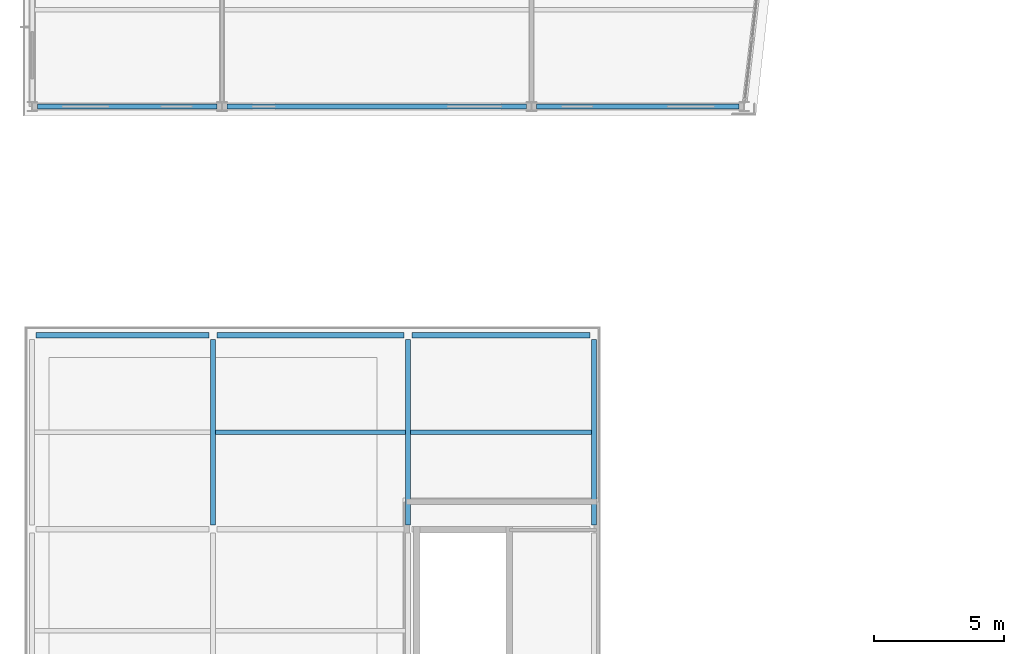
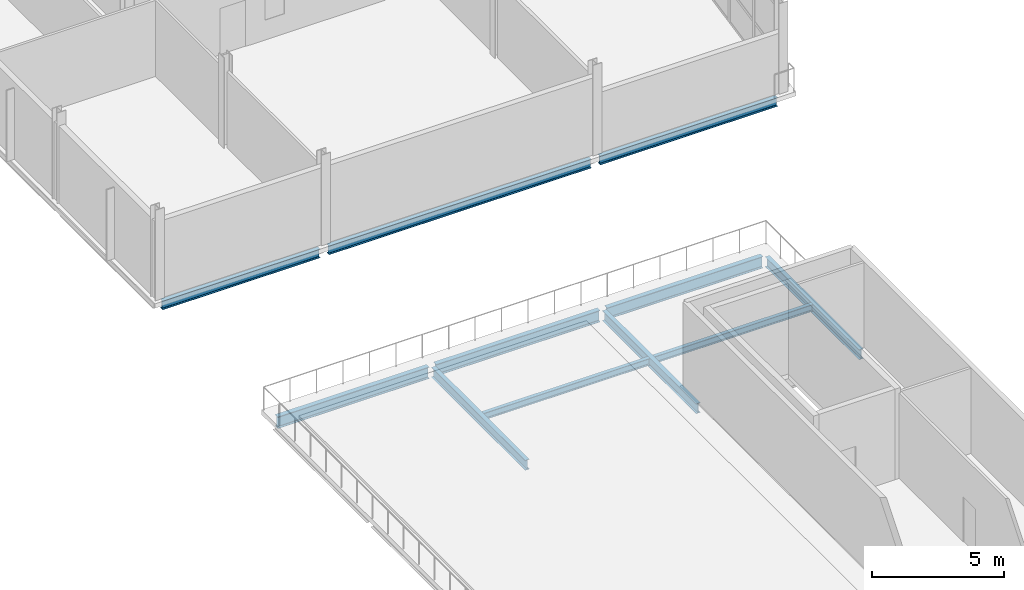
# One storey, part 3 of 36: 11 beams.
"""IFC4 building model written with IfcOpenShell, lengths in metres."""

from ifc_helpers import new_model, si_unit, direction, frame, origin, origin_2d, place, context, subcontext, project, spatial, i_section, extrude, material, material_profile, profile_set, type_object, element, save


model = new_model("IFC4")

# Units and contexts
model_context = context("Model", 3, precision=1e-05, world=origin(), true_north=direction((0.0, 1.0)))
body_context = subcontext(model_context, "Body", "Model", "MODEL_VIEW")
ifc_project = project(units=[si_unit("LENGTHUNIT", "METRE"), si_unit("AREAUNIT", "SQUARE_METRE"), si_unit("VOLUMEUNIT", "CUBIC_METRE"), si_unit("PLANEANGLEUNIT", "RADIAN"), si_unit("MASSUNIT", "GRAM", prefix="KILO")], contexts=[model_context])

# Site, building, storey
site_placement = place(None, origin())
site = spatial("IfcSite", under=ifc_project, at=site_placement, CompositionType="ELEMENT")
building_placement = place(site_placement, origin())
building = spatial("IfcBuilding", under=site, at=building_placement, Name="Quillay Park Conservatory", CompositionType="ELEMENT")
storey_placement = place(building_placement, frame((0.0, 0.0, 18.300048828125)))
storey = spatial("IfcBuildingStorey", under=building, at=storey_placement, Name="L04", CompositionType="ELEMENT", Elevation=18.300048828125)

# Beams
ifc_material_1 = material(Name="Steel ASTM A992 Grade 50", Category="steel")
ifc_material_profile_1 = material_profile(ifc_material_1, i_section(OverallWidth=0.166015625, OverallDepth=0.31298828125, WebThickness=0.006591796875, FlangeThickness=0.01123046875, FilletRadius=0.010009765625, at=origin_2d()), Name="W310x45")
ifc_profile_set_1 = profile_set([ifc_material_profile_1], Name="Steel ASTM A992 Grade 50")
beam_type_1 = type_object("IfcBeamType", Name="COMPOSITE FLOOR JOIST W310 X45", PredefinedType="JOIST", material=ifc_profile_set_1)
beam_1_placement = place(storey_placement, frame((7.595947265625, 50.52490234375, -0.381591796875), z_axis=(1.0, 0.0, 0.0), x_axis=(0.0, 1.0, 0.0)))
element("IfcBeam", 1, at=beam_1_placement, inside=storey, type_object=beam_type_1, Name="L04 beam BM-V3J-1542", PredefinedType="JOIST", context=body_context, shape_type="SweptSolid", body=[
    extrude(i_section(OverallWidth=0.166015625, OverallDepth=0.31298828125, WebThickness=0.006591796875, FlangeThickness=0.01123046875, FilletRadius=0.010009765625, at=origin_2d()), origin(), (0.0, 0.0, 1.0), 7.30810546875),
])
beam_2_placement = place(storey_placement, frame((15.095947265625, 50.52490234375, -0.381591796875), z_axis=(1.0, 0.0, 0.0), x_axis=(0.0, 1.0, 0.0)))
element("IfcBeam", 2, at=beam_2_placement, inside=storey, type_object=beam_type_1, Name="L04 beam BM-V3J-1543", PredefinedType="JOIST", context=body_context, shape_type="SweptSolid", body=[
    extrude(i_section(OverallWidth=0.166015625, OverallDepth=0.31298828125, WebThickness=0.006591796875, FlangeThickness=0.01123046875, FilletRadius=0.010009765625, at=origin_2d()), origin(), (0.0, 0.0, 1.0), 6.9580078125),
])
ifc_material_2 = material(Name="Steel ASTM A992 Grade 50", Category="steel")
ifc_material_profile_2 = material_profile(ifc_material_2, i_section(OverallWidth=0.179931640625, OverallDepth=0.4130859375, WebThickness=0.009765625, FlangeThickness=0.01611328125, FilletRadius=0.011962890625, at=origin_2d()), Name="W410x74")
ifc_profile_set_2 = profile_set([ifc_material_profile_2], Name="Steel ASTM A992 Grade 50")
beam_type_2 = type_object("IfcBeamType", Name="PERIMETER SPANDREL BEAM W410 X74", PredefinedType="SPANDREL", material=ifc_profile_set_2)
beam_3_placement = place(storey_placement, frame((0.74755859375, 63.050048828125, -0.406494140625), z_axis=(1.0, 0.0, 0.0), x_axis=(0.0, 1.0, 0.0)))
element("IfcBeam", 3, at=beam_3_placement, inside=storey, type_object=beam_type_2, Name="L04 beam BM-SP-0312", PredefinedType="SPANDREL", context=body_context, shape_type="SweptSolid", body=[
    extrude(i_section(OverallWidth=0.179931640625, OverallDepth=0.4130859375, WebThickness=0.009765625, FlangeThickness=0.01611328125, FilletRadius=0.011962890625, at=origin_2d()), origin(), (0.0, 0.0, 1.0), 6.905029296875),
])
beam_4_placement = place(storey_placement, frame((8.047607421875, 63.050048828125, -0.406494140625), z_axis=(1.0, 0.0, 0.0), x_axis=(0.0, 1.0, 0.0)))
element("IfcBeam", 4, at=beam_4_placement, inside=storey, type_object=beam_type_2, Name="L04 beam BM-SP-0313", PredefinedType="SPANDREL", context=body_context, shape_type="SweptSolid", body=[
    extrude(i_section(OverallWidth=0.179931640625, OverallDepth=0.4130859375, WebThickness=0.009765625, FlangeThickness=0.01611328125, FilletRadius=0.011962890625, at=origin_2d()), origin(), (0.0, 0.0, 1.0), 11.5048828125),
])
beam_5_placement = place(storey_placement, frame((19.947509765625, 63.050048828125, -0.406494140625), z_axis=(1.0, 0.0, 0.0), x_axis=(0.0, 1.0, 0.0)))
element("IfcBeam", 5, at=beam_5_placement, inside=storey, type_object=beam_type_2, Name="L04 beam BM-SP-0314", PredefinedType="SPANDREL", context=body_context, shape_type="SweptSolid", body=[
    extrude(i_section(OverallWidth=0.179931640625, OverallDepth=0.4130859375, WebThickness=0.009765625, FlangeThickness=0.01611328125, FilletRadius=0.011962890625, at=origin_2d()), origin(), (0.0, 0.0, 1.0), 7.780029296875),
])
ifc_material_3 = material(Name="Steel ASTM A992 Grade 50", Category="steel")
ifc_material_profile_3 = material_profile(ifc_material_3, i_section(OverallWidth=0.19189453125, OverallDepth=0.462890625, WebThickness=0.010498046875, FlangeThickness=0.017578125, FilletRadius=0.012939453125, at=origin_2d()), Name="W460x89")
ifc_profile_set_3 = profile_set([ifc_material_profile_3], Name="Steel ASTM A992 Grade 50")
beam_type_3 = type_object("IfcBeamType", Name="PRIMARY FLOOR GIRDER W460 X89", PredefinedType="BEAM", material=ifc_profile_set_3)
for number, where, z_axis, x_axis, name in (
    (6, (7.5, 46.95703125, -0.45654296875), (0.0, 1.0, 0.0), (-1.0, 0.0, 0.0), "L04 beam BM-V3Y-1509"),
    (7, (15.0, 46.95703125, -0.45654296875), (0.0, 1.0, 0.0), (-1.0, 0.0, 0.0), "L04 beam BM-V3Y-1516"),
    (8, (22.14990234375, 46.95703125, -0.45654296875), (0.0, 1.0, 0.0), (-1.0, 0.0, 0.0), "L04 beam BM-V3Y-1523"),
):
    element("IfcBeam", number, at=place(storey_placement, frame(where, z_axis=z_axis, x_axis=x_axis)), inside=storey, type_object=beam_type_3, Name=name, PredefinedType="BEAM", context=body_context, shape_type="SweptSolid", body=[
        extrude(i_section(OverallWidth=0.19189453125, OverallDepth=0.462890625, WebThickness=0.010498046875, FlangeThickness=0.017578125, FilletRadius=0.012939453125, at=origin_2d()), origin(), (0.0, 0.0, 1.0), 7.135986328125),
    ])
ifc_material_4 = material(Name="Steel ASTM A992 Grade 50", Category="steel")
ifc_material_profile_4 = material_profile(ifc_material_4, i_section(OverallWidth=0.2109375, OverallDepth=0.5390625, WebThickness=0.01171875, FlangeThickness=0.018798828125, FilletRadius=0.013916015625, at=origin_2d()), Name="W530x109")
ifc_profile_set_4 = profile_set([ifc_material_profile_4], Name="Steel ASTM A992 Grade 50")
beam_type_4 = type_object("IfcBeamType", Name="PRIMARY FLOOR GIRDER W530 X109", PredefinedType="BEAM", material=ifc_profile_set_4)
beam_6_placement = place(storey_placement, frame((0.70361328125, 54.25, -0.49462890625), z_axis=(1.0, 0.0, 0.0), x_axis=(0.0, 1.0, 0.0)))
element("IfcBeam", 9, at=beam_6_placement, inside=storey, type_object=beam_type_4, Name="L04 beam BM-V3X-1493", PredefinedType="BEAM", context=body_context, shape_type="SweptSolid", body=[
    extrude(i_section(OverallWidth=0.2109375, OverallDepth=0.5390625, WebThickness=0.01171875, FlangeThickness=0.018798828125, FilletRadius=0.013916015625, at=origin_2d()), origin(), (0.0, 0.0, 1.0), 6.642822265625),
])
beam_7_placement = place(storey_placement, frame((7.653564453125, 54.25, -0.49462890625), z_axis=(1.0, 0.0, 0.0), x_axis=(0.0, 1.0, 0.0)))
element("IfcBeam", 10, at=beam_7_placement, inside=storey, type_object=beam_type_4, Name="L04 beam BM-V3X-1494", PredefinedType="BEAM", context=body_context, shape_type="SweptSolid", body=[
    extrude(i_section(OverallWidth=0.2109375, OverallDepth=0.5390625, WebThickness=0.01171875, FlangeThickness=0.018798828125, FilletRadius=0.013916015625, at=origin_2d()), origin(), (0.0, 0.0, 1.0), 7.19287109375),
])
beam_8_placement = place(storey_placement, frame((15.153564453125, 54.25, -0.49462890625), z_axis=(1.0, 0.0, 0.0), x_axis=(0.0, 1.0, 0.0)))
element("IfcBeam", 11, at=beam_8_placement, inside=storey, type_object=beam_type_4, Name="L04 beam BM-V3X-1495", PredefinedType="BEAM", context=body_context, shape_type="SweptSolid", body=[
    extrude(i_section(OverallWidth=0.2109375, OverallDepth=0.5390625, WebThickness=0.01171875, FlangeThickness=0.018798828125, FilletRadius=0.013916015625, at=origin_2d()), origin(), (0.0, 0.0, 1.0), 6.843017578125),
])

save(model, "model.ifc")
